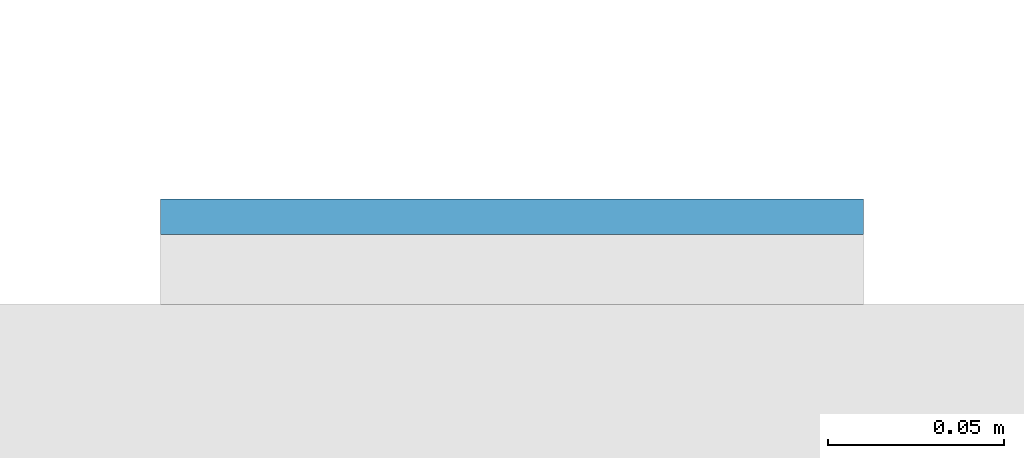
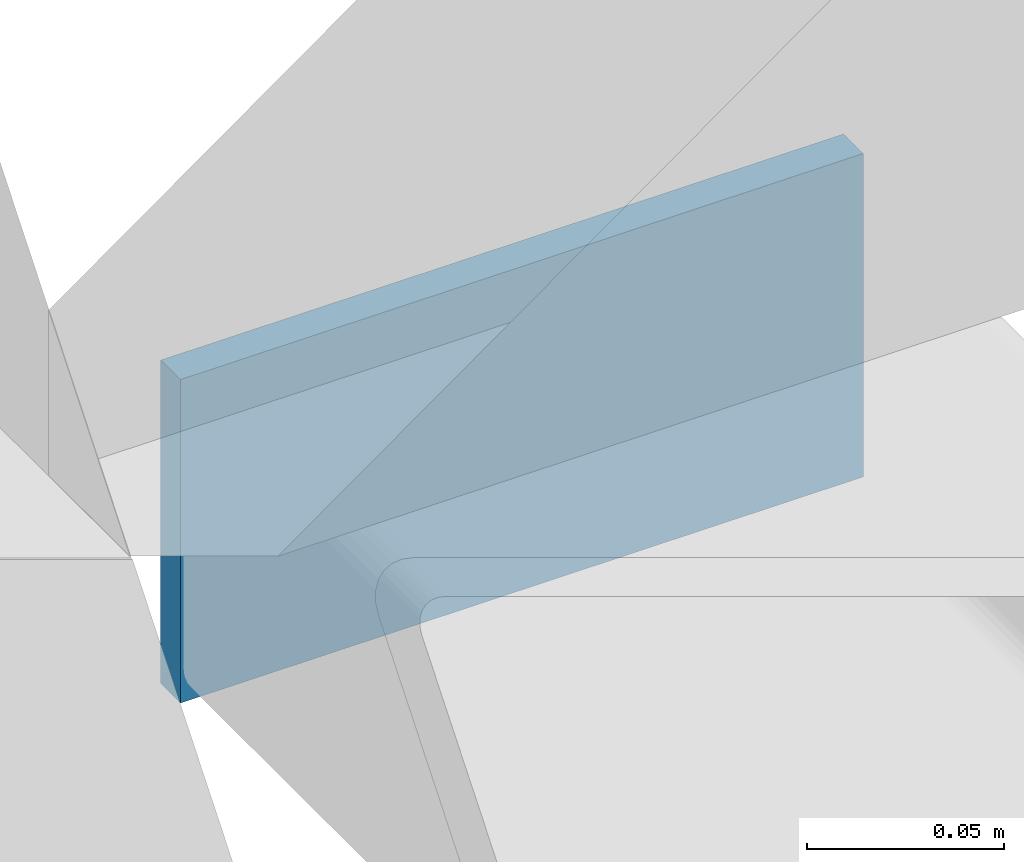
# One storey, part 11 of 20: 1 plate.
"""IFC4 building model written with IfcOpenShell, lengths in metres."""

from ifc_helpers import new_model, si_unit, direction, frame, origin, origin_2d, place, context, subcontext, project, spatial, rectangle, extrude, material, layer, layer_set, type_object, element, save


model = new_model("IFC4")

# Units and contexts
model_context = context("Model", 3, precision=1e-05, world=origin(), true_north=direction((0.0, 1.0)))
body_context = subcontext(model_context, "Body", "Model", "MODEL_VIEW")
ifc_project = project(units=[si_unit("LENGTHUNIT", "METRE"), si_unit("AREAUNIT", "SQUARE_METRE"), si_unit("VOLUMEUNIT", "CUBIC_METRE"), si_unit("PLANEANGLEUNIT", "RADIAN"), si_unit("MASSUNIT", "GRAM", prefix="KILO")], contexts=[model_context])

# Site, building, storey
site_placement = place(None, origin())
site = spatial("IfcSite", under=ifc_project, at=site_placement, CompositionType="ELEMENT")
building_placement = place(site_placement, origin())
building = spatial("IfcBuilding", under=site, at=building_placement, Name="Cleftline Residences", CompositionType="ELEMENT")
storey_placement = place(building_placement, frame((0.0, 0.0, 62.0)))
storey = spatial("IfcBuildingStorey", under=building, at=storey_placement, Name="L15", CompositionType="ELEMENT", Elevation=62.0)

# Plate
ifc_material = material(Name="Steel S355, hot-dip galvanised", Category="steel")
ifc_layer = layer(ifc_material, 0.010009765625)
ifc_layer_set = layer_set([ifc_layer], Name="BAGUETTE CARRIER END PLATE 200X100X10")
plate_type = type_object("IfcPlateType", Name="BAGUETTE CARRIER END PLATE 200X100X10", PredefinedType="USERDEFINED", material=ifc_layer_set)
plate_placement = place(storey_placement, frame((66.85009765625, 44.304931640625, -0.10009765625), z_axis=(0.0, 0.0, 1.0), x_axis=(1.0, 0.0, 0.0)))
element("IfcPlate", 1, at=plate_placement, inside=storey, type_object=plate_type, Name="Baguette carrier end plate", ObjectType="BAGUETTE CARRIER END PLATE", PredefinedType="USERDEFINED", context=body_context, shape_type="SweptSolid", body=[
    extrude(rectangle(XDim=0.199951171875, YDim=0.010009765625, at=origin_2d()), origin(), (0.0, 0.0, 1.0), 0.10009765625),
])

save(model, "model.ifc")
